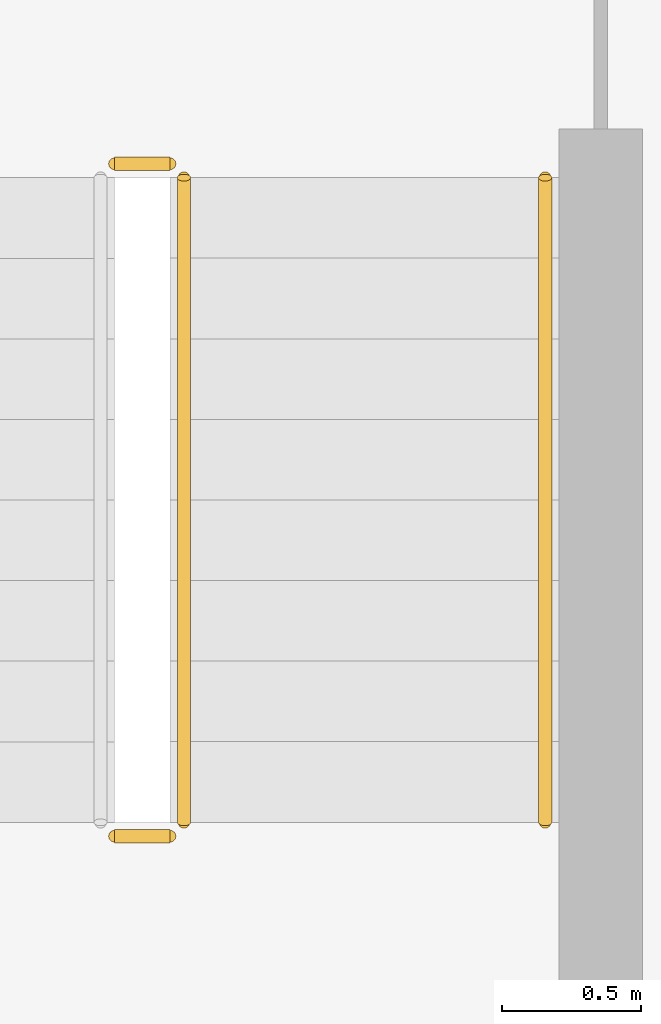
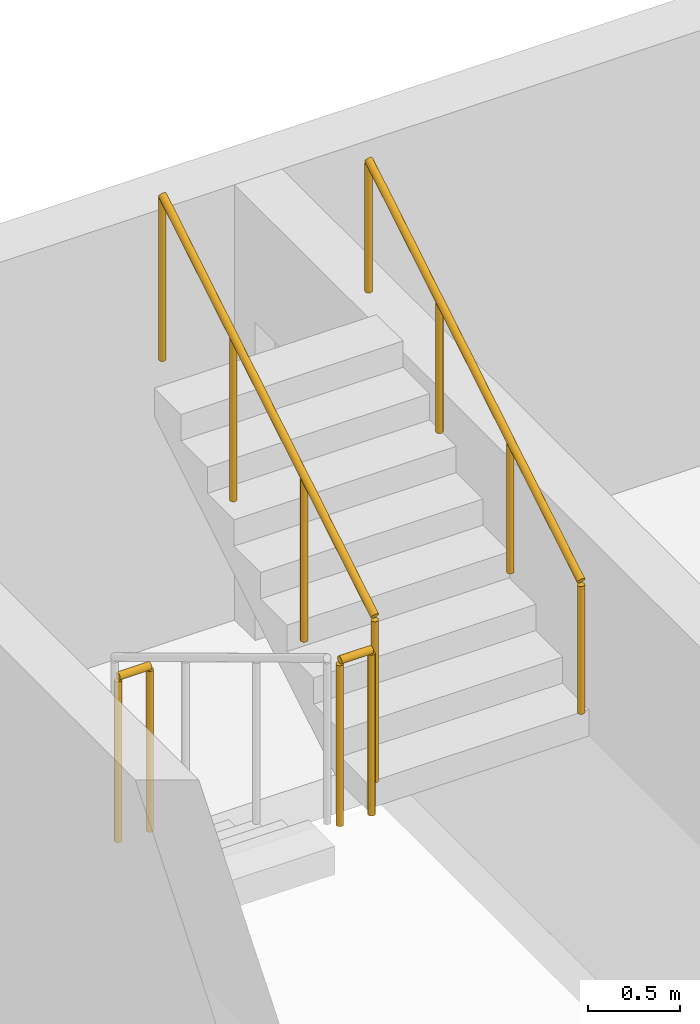
# One storey, part 31 of 38: 4 railings.
"""IFC4 building model written with IfcOpenShell, lengths in metres."""

from ifc_helpers import new_model, si_unit, derived_unit, direction, frame, origin, origin_2d, place, context, subcontext, project, spatial, circle, extrude, material, type_object, element, save


model = new_model("IFC4")

# Units and contexts
model_context = context("Model", 3, precision=1e-05, world=origin(), true_north=direction((0.0, 1.0)))
body_context = subcontext(model_context, "Body", "Model", "MODEL_VIEW")
ifc_project = project(units=[si_unit("LENGTHUNIT", "METRE"), si_unit("AREAUNIT", "SQUARE_METRE"), si_unit("VOLUMEUNIT", "CUBIC_METRE"), si_unit("PLANEANGLEUNIT", "RADIAN"), si_unit("MASSUNIT", "GRAM", prefix="KILO"), derived_unit("THERMALTRANSMITTANCEUNIT", [(si_unit("MASSUNIT", "GRAM", prefix="KILO"), 1), (si_unit("TIMEUNIT", "SECOND"), -3), (si_unit("THERMODYNAMICTEMPERATUREUNIT", "KELVIN"), -1)])], contexts=[model_context])

# Site, building, storey
site_placement = place(None, origin())
site = spatial("IfcSite", under=ifc_project, at=site_placement, CompositionType="ELEMENT")
building_placement = place(site_placement, origin())
building = spatial("IfcBuilding", under=site, at=building_placement, Name="Ochrekiln Boulevard Commons", CompositionType="ELEMENT")
storey_placement = place(building_placement, frame((0.0, 0.0, 24.675048828125)))
storey = spatial("IfcBuildingStorey", under=building, at=storey_placement, Name="L07", CompositionType="ELEMENT", Elevation=24.675048828125)

# Railings
ifc_material = material(Name="Brushed stainless steel 316 tubular railing", Category="steel")
railing_type_1 = type_object("IfcRailingType", Name="RLG-HDR-900", PredefinedType="HANDRAIL", material=ifc_material)
railing_1_placement = place(storey_placement, frame((9.35009765625, 114.610107421875, 1.75)))
element("IfcRailing", 1, at=railing_1_placement, inside=storey, type_object=railing_type_1, Name="L07 ST-A2 stair handrail 2", PredefinedType="HANDRAIL", context=body_context, shape_type="SweptSolid", body=[
    extrude(circle(Radius=0.02392578125, at=origin_2d()), frame((0.0, 0.0, 0.8759765625), z_axis=(0.0, 0.856186286599, 0.516667245565), x_axis=(-1.0, 0.0, 0.0)), (0.0, 0.0, 1.0), 2.70947265625),
    extrude(circle(Radius=0.02099609375, at=origin_2d()), origin(), (0.0, 0.0, 1.0), 0.851806640625),
    extrude(circle(Radius=0.02099609375, at=origin_2d()), frame((0.0, 0.773193359375, 0.466552734375)), (0.0, 0.0, 1.0), 0.851806640625),
    extrude(circle(Radius=0.02099609375, at=origin_2d()), frame((0.0, 1.546630859375, 0.933349609375)), (0.0, 0.0, 1.0), 0.851806640625),
    extrude(circle(Radius=0.02099609375, at=origin_2d()), frame((0.0, 2.31982421875, 1.39990234375)), (0.0, 0.0, 1.0), 0.851806640625),
])
railing_type_2 = type_object("IfcRailingType", Name="RLG-STR-1120", PredefinedType="BALUSTRADE", material=ifc_material)
railing_2_placement = place(storey_placement, frame((7.800048828125, 114.56005859375, 1.574951171875)))
element("IfcRailing", 2, at=railing_2_placement, inside=storey, type_object=railing_type_2, Name="L07 ST-A2 stair guard 2", PredefinedType="BALUSTRADE", context=body_context, shape_type="SweptSolid", body=[
    extrude(circle(Radius=0.02392578125, at=origin_2d()), frame((0.0, 0.0, 1.09619140625), z_axis=(1.0, 0.0, 0.0), x_axis=(0.0, 1.0, 0.0)), (0.0, 0.0, 1.0), 0.199951171875),
    extrude(circle(Radius=0.02099609375, at=origin_2d()), origin(), (0.0, 0.0, 1.0), 1.072021484375),
    extrude(circle(Radius=0.02099609375, at=origin_2d()), frame((0.199951171875, 0.0, 0.0)), (0.0, 0.0, 1.0), 1.072021484375),
])
railing_3_placement = place(storey_placement, frame((8.050048828125, 114.610107421875, 1.75)))
element("IfcRailing", 3, at=railing_3_placement, inside=storey, type_object=railing_type_2, Name="L07 ST-A2 stair guard 3", PredefinedType="BALUSTRADE", context=body_context, shape_type="SweptSolid", body=[
    extrude(circle(Radius=0.02392578125, at=origin_2d()), frame((0.0, 0.0, 1.09619140625), z_axis=(0.0, 0.856186286599, 0.516667245565), x_axis=(-1.0, 0.0, 0.0)), (0.0, 0.0, 1.0), 2.70947265625),
    extrude(circle(Radius=0.02099609375, at=origin_2d()), origin(), (0.0, 0.0, 1.0), 1.072021484375),
    extrude(circle(Radius=0.02099609375, at=origin_2d()), frame((0.0, 0.773193359375, 0.466552734375)), (0.0, 0.0, 1.0), 1.072021484375),
    extrude(circle(Radius=0.02099609375, at=origin_2d()), frame((0.0, 1.546630859375, 0.933349609375)), (0.0, 0.0, 1.0), 1.072021484375),
    extrude(circle(Radius=0.02099609375, at=origin_2d()), frame((0.0, 2.31982421875, 1.39990234375)), (0.0, 0.0, 1.0), 1.072021484375),
])
railing_4_placement = place(storey_placement, frame((7.800048828125, 116.97998046875, 0.0)))
element("IfcRailing", 4, at=railing_4_placement, inside=storey, type_object=railing_type_2, Name="L07 ST-A2 stair guard 4", PredefinedType="BALUSTRADE", context=body_context, shape_type="SweptSolid", body=[
    extrude(circle(Radius=0.02392578125, at=origin_2d()), frame((0.0, 0.0, 1.09619140625), z_axis=(1.0, 0.0, 0.0), x_axis=(0.0, 1.0, 0.0)), (0.0, 0.0, 1.0), 0.199951171875),
    extrude(circle(Radius=0.02099609375, at=origin_2d()), origin(), (0.0, 0.0, 1.0), 1.072021484375),
    extrude(circle(Radius=0.02099609375, at=origin_2d()), frame((0.199951171875, 0.0, 0.0)), (0.0, 0.0, 1.0), 1.072021484375),
])

save(model, "model.ifc")
